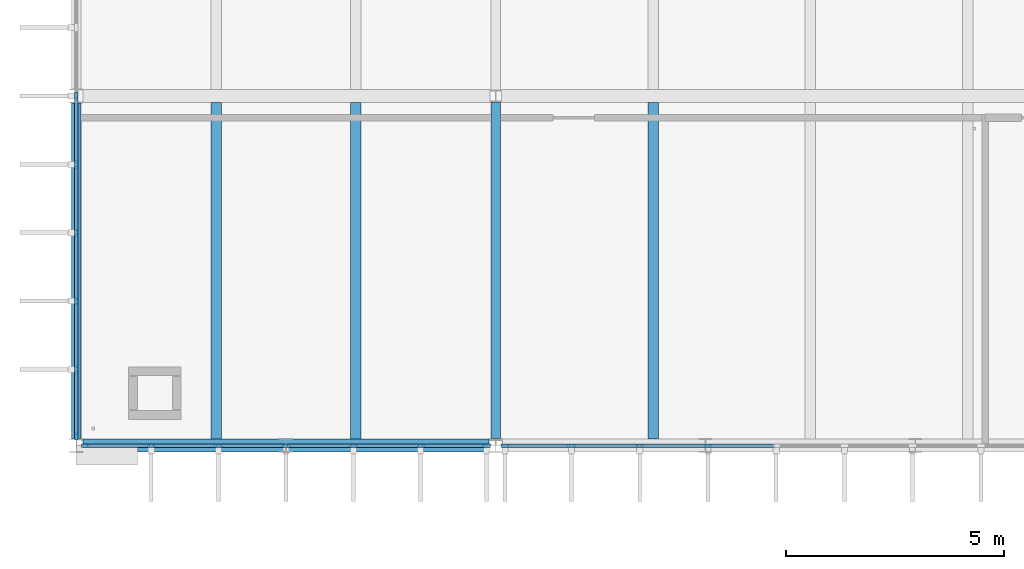
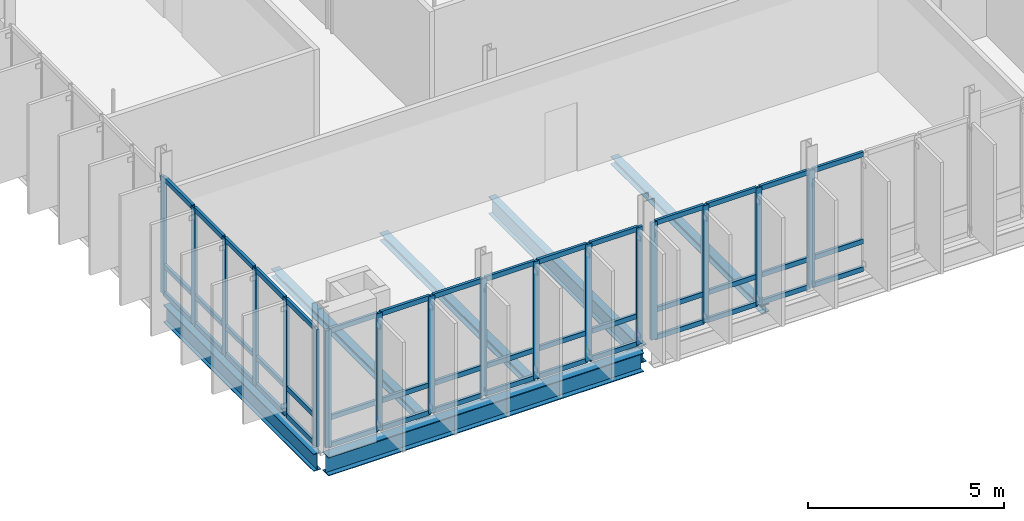
# One storey, part 7 of 41: 62 members, 6 beams, 3 elements without a shape of their own.
"""IFC4 building model written with IfcOpenShell, lengths in metres."""

from ifc_helpers import new_model, si_unit, direction, frame, origin, origin_2d, place, context, subcontext, project, spatial, rectangle, i_section, extrude, material, material_profile, profile_set, type_object, element, aggregate, save


model = new_model("IFC4")

# Units and contexts
model_context = context("Model", 3, precision=1e-05, world=origin(), true_north=direction((0.0, 1.0)))
body_context = subcontext(model_context, "Body", "Model", "MODEL_VIEW")
ifc_project = project(units=[si_unit("LENGTHUNIT", "METRE"), si_unit("AREAUNIT", "SQUARE_METRE"), si_unit("VOLUMEUNIT", "CUBIC_METRE"), si_unit("PLANEANGLEUNIT", "RADIAN"), si_unit("MASSUNIT", "GRAM", prefix="KILO")], contexts=[model_context])

# Site, building, storey
site_placement = place(None, origin())
site = spatial("IfcSite", under=ifc_project, at=site_placement, CompositionType="ELEMENT")
building_placement = place(site_placement, origin())
building = spatial("IfcBuilding", under=site, at=building_placement, Name="Dunescarp Central Library", CompositionType="ELEMENT")
storey_placement = place(building_placement, frame((0.0, 0.0, 23.10009765625)))
storey = spatial("IfcBuildingStorey", under=building, at=storey_placement, Name="L05", CompositionType="ELEMENT", Elevation=23.10009765625)

# Curtain wall, members
ifc_material_1 = material(Name="Marine-grade anodised aluminium 6063-T6", Category="aluminium")
curtain_wall_type = type_object("IfcCurtainWallType", Name="ARC-CW-STICK", PredefinedType="NOTDEFINED", material=ifc_material_1)
curtain_wall_1_placement = place(storey_placement, origin())
curtain_wall_1 = element("IfcCurtainWall", 1, at=curtain_wall_1_placement, inside=storey, type_object=curtain_wall_type, Name="L05 curtain wall CW-V1-031", PredefinedType="NOTDEFINED")
ifc_material_profile_1 = material_profile(ifc_material_1, rectangle(XDim=0.080078125, YDim=0.179931640625, at=origin_2d()), Name="AL 80x180")
ifc_profile_set_1 = profile_set([ifc_material_profile_1], Name="Marine-grade anodised aluminium 6063-T6")
member_type_1 = type_object("IfcMemberType", Name="ARC-CWM-180", PredefinedType="MULLION", material=ifc_profile_set_1)
member_1_placement = place(storey_placement, frame((9.385009765625, 4.800048828125, 0.0), z_axis=(0.0, 0.0, 1.0), x_axis=(0.0, -1.0, 0.0)))
member_1 = element("IfcMember", 2, at=member_1_placement, type_object=member_type_1, Name="CW-V1-031 mullion 1", PredefinedType="MULLION", context=body_context, shape_type="SweptSolid", body=[
    extrude(rectangle(XDim=0.080078125, YDim=0.179931640625, at=origin_2d()), origin(), (0.0, 0.0, 1.0), 3.65283203125),
])
member_2_placement = place(storey_placement, frame((7.88330078125, 4.800048828125, 0.0), z_axis=(0.0, 0.0, 1.0), x_axis=(0.0, -1.0, 0.0)))
member_2 = element("IfcMember", 3, at=member_2_placement, type_object=member_type_1, Name="CW-V1-031 mullion 2", PredefinedType="MULLION", context=body_context, shape_type="SweptSolid", body=[
    extrude(rectangle(XDim=0.080078125, YDim=0.179931640625, at=origin_2d()), origin(), (0.0, 0.0, 1.0), 3.65283203125),
])
member_3_placement = place(storey_placement, frame((6.341552734375, 4.800048828125, 0.0), z_axis=(0.0, 0.0, 1.0), x_axis=(0.0, -1.0, 0.0)))
member_3 = element("IfcMember", 4, at=member_3_placement, type_object=member_type_1, Name="CW-V1-031 mullion 3", PredefinedType="MULLION", context=body_context, shape_type="SweptSolid", body=[
    extrude(rectangle(XDim=0.080078125, YDim=0.179931640625, at=origin_2d()), origin(), (0.0, 0.0, 1.0), 3.65283203125),
])
member_4_placement = place(storey_placement, frame((4.800048828125, 4.800048828125, 0.0), z_axis=(0.0, 0.0, 1.0), x_axis=(0.0, -1.0, 0.0)))
member_4 = element("IfcMember", 5, at=member_4_placement, type_object=member_type_1, Name="CW-V1-031 mullion 4", PredefinedType="MULLION", context=body_context, shape_type="SweptSolid", body=[
    extrude(rectangle(XDim=0.080078125, YDim=0.179931640625, at=origin_2d()), origin(), (0.0, 0.0, 1.0), 3.65283203125),
])
member_5_placement = place(storey_placement, frame((3.25830078125, 4.800048828125, 0.0), z_axis=(0.0, 0.0, 1.0), x_axis=(0.0, -1.0, 0.0)))
member_5 = element("IfcMember", 6, at=member_5_placement, type_object=member_type_1, Name="CW-V1-031 mullion 5", PredefinedType="MULLION", context=body_context, shape_type="SweptSolid", body=[
    extrude(rectangle(XDim=0.080078125, YDim=0.179931640625, at=origin_2d()), origin(), (0.0, 0.0, 1.0), 3.65283203125),
])
member_6_placement = place(storey_placement, frame((1.716552734375, 4.800048828125, 0.0), z_axis=(0.0, 0.0, 1.0), x_axis=(0.0, -1.0, 0.0)))
member_6 = element("IfcMember", 7, at=member_6_placement, type_object=member_type_1, Name="CW-V1-031 mullion 6", PredefinedType="MULLION", context=body_context, shape_type="SweptSolid", body=[
    extrude(rectangle(XDim=0.080078125, YDim=0.179931640625, at=origin_2d()), origin(), (0.0, 0.0, 1.0), 3.65283203125),
])
member_7_placement = place(storey_placement, frame((0.215087890625, 4.800048828125, 0.0), z_axis=(0.0, 0.0, 1.0), x_axis=(0.0, -1.0, 0.0)))
member_7 = element("IfcMember", 8, at=member_7_placement, type_object=member_type_1, Name="CW-V1-031 mullion 7", PredefinedType="MULLION", context=body_context, shape_type="SweptSolid", body=[
    extrude(rectangle(XDim=0.080078125, YDim=0.179931640625, at=origin_2d()), origin(), (0.0, 0.0, 1.0), 3.65283203125),
])

curtain_wall_2_placement = place(storey_placement, origin())
curtain_wall_2 = element("IfcCurtainWall", 9, at=curtain_wall_2_placement, inside=storey, type_object=curtain_wall_type, Name="L05 curtain wall CW-V1-032", PredefinedType="NOTDEFINED")
member_8_placement = place(storey_placement, frame((14.458251953125, 4.800048828125, 0.0), z_axis=(0.0, 0.0, 1.0), x_axis=(0.0, -1.0, 0.0)))
member_8 = element("IfcMember", 10, at=member_8_placement, type_object=member_type_1, Name="CW-V1-032 mullion 7", PredefinedType="MULLION", context=body_context, shape_type="SweptSolid", body=[
    extrude(rectangle(XDim=0.080078125, YDim=0.179931640625, at=origin_2d()), origin(), (0.0, 0.0, 1.0), 3.65283203125),
])
member_9_placement = place(storey_placement, frame((12.897216796875, 4.800048828125, 0.0), z_axis=(0.0, 0.0, 1.0), x_axis=(0.0, -1.0, 0.0)))
member_9 = element("IfcMember", 11, at=member_9_placement, type_object=member_type_1, Name="CW-V1-032 mullion 8", PredefinedType="MULLION", context=body_context, shape_type="SweptSolid", body=[
    extrude(rectangle(XDim=0.080078125, YDim=0.179931640625, at=origin_2d()), origin(), (0.0, 0.0, 1.0), 3.65283203125),
])
member_10_placement = place(storey_placement, frame((11.336181640625, 4.800048828125, 0.0), z_axis=(0.0, 0.0, 1.0), x_axis=(0.0, -1.0, 0.0)))
member_10 = element("IfcMember", 12, at=member_10_placement, type_object=member_type_1, Name="CW-V1-032 mullion 9", PredefinedType="MULLION", context=body_context, shape_type="SweptSolid", body=[
    extrude(rectangle(XDim=0.080078125, YDim=0.179931640625, at=origin_2d()), origin(), (0.0, 0.0, 1.0), 3.65283203125),
])
member_11_placement = place(storey_placement, frame((9.81494140625, 4.800048828125, 0.0), z_axis=(0.0, 0.0, 1.0), x_axis=(0.0, -1.0, 0.0)))
member_11 = element("IfcMember", 13, at=member_11_placement, type_object=member_type_1, Name="CW-V1-032 mullion 10", PredefinedType="MULLION", context=body_context, shape_type="SweptSolid", body=[
    extrude(rectangle(XDim=0.080078125, YDim=0.179931640625, at=origin_2d()), origin(), (0.0, 0.0, 1.0), 3.65283203125),
])

curtain_wall_3_placement = place(storey_placement, origin())
curtain_wall_3 = element("IfcCurtainWall", 14, at=curtain_wall_3_placement, inside=storey, type_object=curtain_wall_type, Name="L05 curtain wall CW-V1-035", PredefinedType="NOTDEFINED")
member_12_placement = place(storey_placement, frame((0.0, 5.014892578125, 0.0), z_axis=(0.0, 0.0, 1.0), x_axis=(-1.0, 0.0, 0.0)))
member_12 = element("IfcMember", 15, at=member_12_placement, type_object=member_type_1, Name="CW-V1-035 mullion 1", PredefinedType="MULLION", context=body_context, shape_type="SweptSolid", body=[
    extrude(rectangle(XDim=0.080078125, YDim=0.179931640625, at=origin_2d()), origin(), (0.0, 0.0, 1.0), 3.65283203125),
])
member_13_placement = place(storey_placement, frame((0.0, 6.5400390625, 0.0), z_axis=(0.0, 0.0, 1.0), x_axis=(-1.0, 0.0, 0.0)))
member_13 = element("IfcMember", 16, at=member_13_placement, type_object=member_type_1, Name="CW-V1-035 mullion 2", PredefinedType="MULLION", context=body_context, shape_type="SweptSolid", body=[
    extrude(rectangle(XDim=0.080078125, YDim=0.179931640625, at=origin_2d()), origin(), (0.0, 0.0, 1.0), 3.65283203125),
])
member_14_placement = place(storey_placement, frame((0.0, 8.10498046875, 0.0), z_axis=(0.0, 0.0, 1.0), x_axis=(-1.0, 0.0, 0.0)))
member_14 = element("IfcMember", 17, at=member_14_placement, type_object=member_type_1, Name="CW-V1-035 mullion 3", PredefinedType="MULLION", context=body_context, shape_type="SweptSolid", body=[
    extrude(rectangle(XDim=0.080078125, YDim=0.179931640625, at=origin_2d()), origin(), (0.0, 0.0, 1.0), 3.65283203125),
])
member_15_placement = place(storey_placement, frame((0.0, 9.669921875, 0.0), z_axis=(0.0, 0.0, 1.0), x_axis=(-1.0, 0.0, 0.0)))
member_15 = element("IfcMember", 18, at=member_15_placement, type_object=member_type_1, Name="CW-V1-035 mullion 4", PredefinedType="MULLION", context=body_context, shape_type="SweptSolid", body=[
    extrude(rectangle(XDim=0.080078125, YDim=0.179931640625, at=origin_2d()), origin(), (0.0, 0.0, 1.0), 3.65283203125),
])
member_16_placement = place(storey_placement, frame((0.0, 11.235107421875, 0.0), z_axis=(0.0, 0.0, 1.0), x_axis=(-1.0, 0.0, 0.0)))
member_16 = element("IfcMember", 19, at=member_16_placement, type_object=member_type_1, Name="CW-V1-035 mullion 5", PredefinedType="MULLION", context=body_context, shape_type="SweptSolid", body=[
    extrude(rectangle(XDim=0.080078125, YDim=0.179931640625, at=origin_2d()), origin(), (0.0, 0.0, 1.0), 3.65283203125),
])
member_17_placement = place(storey_placement, frame((0.0, 12.800048828125, 0.0), z_axis=(0.0, 0.0, 1.0), x_axis=(-1.0, 0.0, 0.0)))
member_17 = element("IfcMember", 20, at=member_17_placement, type_object=member_type_1, Name="CW-V1-035 mullion 6", PredefinedType="MULLION", context=body_context, shape_type="SweptSolid", body=[
    extrude(rectangle(XDim=0.080078125, YDim=0.179931640625, at=origin_2d()), origin(), (0.0, 0.0, 1.0), 3.65283203125),
])

# Member
ifc_material_profile_2 = material_profile(ifc_material_1, rectangle(XDim=0.080078125, YDim=0.14990234375, at=origin_2d()), Name="AL 80x150")
ifc_profile_set_2 = profile_set([ifc_material_profile_2], Name="Marine-grade anodised aluminium 6063-T6")
member_type_2 = type_object("IfcMemberType", Name="ARC-CWT-150", PredefinedType="USERDEFINED", material=ifc_profile_set_2)
member_18_placement = place(storey_placement, frame((9.344970703125, 4.800048828125, 0.039794921875), z_axis=(-1.0, 0.0, 0.0), x_axis=(0.0, -1.0, 0.0)))
member_18 = element("IfcMember", 21, at=member_18_placement, type_object=member_type_2, Name="CW-V1-031 transom 1.1", ObjectType="TRANSOM", PredefinedType="USERDEFINED", context=body_context, shape_type="SweptSolid", body=[
    extrude(rectangle(XDim=0.080078125, YDim=0.14990234375, at=origin_2d()), origin(), (0.0, 0.0, 1.0), 1.421630859375),
])

member_19_placement = place(storey_placement, frame((9.344970703125, 4.800048828125, 0.89990234375), z_axis=(-1.0, 0.0, 0.0), x_axis=(0.0, -1.0, 0.0)))
member_19 = element("IfcMember", 22, at=member_19_placement, type_object=member_type_2, Name="CW-V1-031 transom 1.2", ObjectType="TRANSOM", PredefinedType="USERDEFINED", context=body_context, shape_type="SweptSolid", body=[
    extrude(rectangle(XDim=0.080078125, YDim=0.14990234375, at=origin_2d()), origin(), (0.0, 0.0, 1.0), 1.421630859375),
])

member_20_placement = place(storey_placement, frame((9.344970703125, 4.800048828125, 3.61279296875), z_axis=(-1.0, 0.0, 0.0), x_axis=(0.0, -1.0, 0.0)))
member_20 = element("IfcMember", 23, at=member_20_placement, type_object=member_type_2, Name="CW-V1-031 transom 1.3", ObjectType="TRANSOM", PredefinedType="USERDEFINED", context=body_context, shape_type="SweptSolid", body=[
    extrude(rectangle(XDim=0.080078125, YDim=0.14990234375, at=origin_2d()), origin(), (0.0, 0.0, 1.0), 1.421630859375),
])

member_21_placement = place(storey_placement, frame((7.84326171875, 4.800048828125, 0.039794921875), z_axis=(-1.0, 0.0, 0.0), x_axis=(0.0, -1.0, 0.0)))
member_21 = element("IfcMember", 24, at=member_21_placement, type_object=member_type_2, Name="CW-V1-031 transom 2.1", ObjectType="TRANSOM", PredefinedType="USERDEFINED", context=body_context, shape_type="SweptSolid", body=[
    extrude(rectangle(XDim=0.080078125, YDim=0.14990234375, at=origin_2d()), origin(), (0.0, 0.0, 1.0), 1.461669921875),
])

member_22_placement = place(storey_placement, frame((7.84326171875, 4.800048828125, 0.89990234375), z_axis=(-1.0, 0.0, 0.0), x_axis=(0.0, -1.0, 0.0)))
member_22 = element("IfcMember", 25, at=member_22_placement, type_object=member_type_2, Name="CW-V1-031 transom 2.2", ObjectType="TRANSOM", PredefinedType="USERDEFINED", context=body_context, shape_type="SweptSolid", body=[
    extrude(rectangle(XDim=0.080078125, YDim=0.14990234375, at=origin_2d()), origin(), (0.0, 0.0, 1.0), 1.461669921875),
])

member_23_placement = place(storey_placement, frame((7.84326171875, 4.800048828125, 3.61279296875), z_axis=(-1.0, 0.0, 0.0), x_axis=(0.0, -1.0, 0.0)))
member_23 = element("IfcMember", 26, at=member_23_placement, type_object=member_type_2, Name="CW-V1-031 transom 2.3", ObjectType="TRANSOM", PredefinedType="USERDEFINED", context=body_context, shape_type="SweptSolid", body=[
    extrude(rectangle(XDim=0.080078125, YDim=0.14990234375, at=origin_2d()), origin(), (0.0, 0.0, 1.0), 1.461669921875),
])

member_24_placement = place(storey_placement, frame((6.3017578125, 4.800048828125, 0.039794921875), z_axis=(-1.0, 0.0, 0.0), x_axis=(0.0, -1.0, 0.0)))
member_24 = element("IfcMember", 27, at=member_24_placement, type_object=member_type_2, Name="CW-V1-031 transom 3.1", ObjectType="TRANSOM", PredefinedType="USERDEFINED", context=body_context, shape_type="SweptSolid", body=[
    extrude(rectangle(XDim=0.080078125, YDim=0.14990234375, at=origin_2d()), origin(), (0.0, 0.0, 1.0), 1.461669921875),
])

member_25_placement = place(storey_placement, frame((6.3017578125, 4.800048828125, 0.89990234375), z_axis=(-1.0, 0.0, 0.0), x_axis=(0.0, -1.0, 0.0)))
member_25 = element("IfcMember", 28, at=member_25_placement, type_object=member_type_2, Name="CW-V1-031 transom 3.2", ObjectType="TRANSOM", PredefinedType="USERDEFINED", context=body_context, shape_type="SweptSolid", body=[
    extrude(rectangle(XDim=0.080078125, YDim=0.14990234375, at=origin_2d()), origin(), (0.0, 0.0, 1.0), 1.461669921875),
])

member_26_placement = place(storey_placement, frame((6.3017578125, 4.800048828125, 3.61279296875), z_axis=(-1.0, 0.0, 0.0), x_axis=(0.0, -1.0, 0.0)))
member_26 = element("IfcMember", 29, at=member_26_placement, type_object=member_type_2, Name="CW-V1-031 transom 3.3", ObjectType="TRANSOM", PredefinedType="USERDEFINED", context=body_context, shape_type="SweptSolid", body=[
    extrude(rectangle(XDim=0.080078125, YDim=0.14990234375, at=origin_2d()), origin(), (0.0, 0.0, 1.0), 1.461669921875),
])

member_27_placement = place(storey_placement, frame((4.760009765625, 4.800048828125, 0.039794921875), z_axis=(-1.0, 0.0, 0.0), x_axis=(0.0, -1.0, 0.0)))
member_27 = element("IfcMember", 30, at=member_27_placement, type_object=member_type_2, Name="CW-V1-031 transom 4.1", ObjectType="TRANSOM", PredefinedType="USERDEFINED", context=body_context, shape_type="SweptSolid", body=[
    extrude(rectangle(XDim=0.080078125, YDim=0.14990234375, at=origin_2d()), origin(), (0.0, 0.0, 1.0), 1.461669921875),
])

member_28_placement = place(storey_placement, frame((4.760009765625, 4.800048828125, 0.89990234375), z_axis=(-1.0, 0.0, 0.0), x_axis=(0.0, -1.0, 0.0)))
member_28 = element("IfcMember", 31, at=member_28_placement, type_object=member_type_2, Name="CW-V1-031 transom 4.2", ObjectType="TRANSOM", PredefinedType="USERDEFINED", context=body_context, shape_type="SweptSolid", body=[
    extrude(rectangle(XDim=0.080078125, YDim=0.14990234375, at=origin_2d()), origin(), (0.0, 0.0, 1.0), 1.461669921875),
])

member_29_placement = place(storey_placement, frame((4.760009765625, 4.800048828125, 3.61279296875), z_axis=(-1.0, 0.0, 0.0), x_axis=(0.0, -1.0, 0.0)))
member_29 = element("IfcMember", 32, at=member_29_placement, type_object=member_type_2, Name="CW-V1-031 transom 4.3", ObjectType="TRANSOM", PredefinedType="USERDEFINED", context=body_context, shape_type="SweptSolid", body=[
    extrude(rectangle(XDim=0.080078125, YDim=0.14990234375, at=origin_2d()), origin(), (0.0, 0.0, 1.0), 1.461669921875),
])

member_30_placement = place(storey_placement, frame((3.21826171875, 4.800048828125, 0.039794921875), z_axis=(-1.0, 0.0, 0.0), x_axis=(0.0, -1.0, 0.0)))
member_30 = element("IfcMember", 33, at=member_30_placement, type_object=member_type_2, Name="CW-V1-031 transom 5.1", ObjectType="TRANSOM", PredefinedType="USERDEFINED", context=body_context, shape_type="SweptSolid", body=[
    extrude(rectangle(XDim=0.080078125, YDim=0.14990234375, at=origin_2d()), origin(), (0.0, 0.0, 1.0), 1.461669921875),
])

member_31_placement = place(storey_placement, frame((3.21826171875, 4.800048828125, 0.89990234375), z_axis=(-1.0, 0.0, 0.0), x_axis=(0.0, -1.0, 0.0)))
member_31 = element("IfcMember", 34, at=member_31_placement, type_object=member_type_2, Name="CW-V1-031 transom 5.2", ObjectType="TRANSOM", PredefinedType="USERDEFINED", context=body_context, shape_type="SweptSolid", body=[
    extrude(rectangle(XDim=0.080078125, YDim=0.14990234375, at=origin_2d()), origin(), (0.0, 0.0, 1.0), 1.461669921875),
])

member_32_placement = place(storey_placement, frame((3.21826171875, 4.800048828125, 3.61279296875), z_axis=(-1.0, 0.0, 0.0), x_axis=(0.0, -1.0, 0.0)))
member_32 = element("IfcMember", 35, at=member_32_placement, type_object=member_type_2, Name="CW-V1-031 transom 5.3", ObjectType="TRANSOM", PredefinedType="USERDEFINED", context=body_context, shape_type="SweptSolid", body=[
    extrude(rectangle(XDim=0.080078125, YDim=0.14990234375, at=origin_2d()), origin(), (0.0, 0.0, 1.0), 1.461669921875),
])

member_33_placement = place(storey_placement, frame((1.6767578125, 4.800048828125, 0.039794921875), z_axis=(-1.0, 0.0, 0.0), x_axis=(0.0, -1.0, 0.0)))
member_33 = element("IfcMember", 36, at=member_33_placement, type_object=member_type_2, Name="CW-V1-031 transom 6.1", ObjectType="TRANSOM", PredefinedType="USERDEFINED", context=body_context, shape_type="SweptSolid", body=[
    extrude(rectangle(XDim=0.080078125, YDim=0.14990234375, at=origin_2d()), origin(), (0.0, 0.0, 1.0), 1.421875),
])

member_34_placement = place(storey_placement, frame((1.6767578125, 4.800048828125, 0.89990234375), z_axis=(-1.0, 0.0, 0.0), x_axis=(0.0, -1.0, 0.0)))
member_34 = element("IfcMember", 37, at=member_34_placement, type_object=member_type_2, Name="CW-V1-031 transom 6.2", ObjectType="TRANSOM", PredefinedType="USERDEFINED", context=body_context, shape_type="SweptSolid", body=[
    extrude(rectangle(XDim=0.080078125, YDim=0.14990234375, at=origin_2d()), origin(), (0.0, 0.0, 1.0), 1.421875),
])

member_35_placement = place(storey_placement, frame((1.6767578125, 4.800048828125, 3.61279296875), z_axis=(-1.0, 0.0, 0.0), x_axis=(0.0, -1.0, 0.0)))
member_35 = element("IfcMember", 38, at=member_35_placement, type_object=member_type_2, Name="CW-V1-031 transom 6.3", ObjectType="TRANSOM", PredefinedType="USERDEFINED", context=body_context, shape_type="SweptSolid", body=[
    extrude(rectangle(XDim=0.080078125, YDim=0.14990234375, at=origin_2d()), origin(), (0.0, 0.0, 1.0), 1.421875),
])

aggregate(curtain_wall_1, [member_1, member_2, member_3, member_4, member_5, member_6, member_7, member_18, member_19, member_20, member_21, member_22, member_23, member_24, member_25, member_26, member_27, member_28, member_29, member_30, member_31, member_32, member_33, member_34, member_35])

member_36_placement = place(storey_placement, frame((15.9794921875, 4.800048828125, 0.039794921875), z_axis=(-1.0, 0.0, 0.0), x_axis=(0.0, -1.0, 0.0)))
member_36 = element("IfcMember", 39, at=member_36_placement, type_object=member_type_2, Name="CW-V1-032 transom 6.1", ObjectType="TRANSOM", PredefinedType="USERDEFINED", context=body_context, shape_type="SweptSolid", body=[
    extrude(rectangle(XDim=0.080078125, YDim=0.14990234375, at=origin_2d()), origin(), (0.0, 0.0, 1.0), 1.481201171875),
])

member_37_placement = place(storey_placement, frame((15.9794921875, 4.800048828125, 0.89990234375), z_axis=(-1.0, 0.0, 0.0), x_axis=(0.0, -1.0, 0.0)))
member_37 = element("IfcMember", 40, at=member_37_placement, type_object=member_type_2, Name="CW-V1-032 transom 6.2", ObjectType="TRANSOM", PredefinedType="USERDEFINED", context=body_context, shape_type="SweptSolid", body=[
    extrude(rectangle(XDim=0.080078125, YDim=0.14990234375, at=origin_2d()), origin(), (0.0, 0.0, 1.0), 1.481201171875),
])

member_38_placement = place(storey_placement, frame((15.9794921875, 4.800048828125, 3.61279296875), z_axis=(-1.0, 0.0, 0.0), x_axis=(0.0, -1.0, 0.0)))
member_38 = element("IfcMember", 41, at=member_38_placement, type_object=member_type_2, Name="CW-V1-032 transom 6.3", ObjectType="TRANSOM", PredefinedType="USERDEFINED", context=body_context, shape_type="SweptSolid", body=[
    extrude(rectangle(XDim=0.080078125, YDim=0.14990234375, at=origin_2d()), origin(), (0.0, 0.0, 1.0), 1.481201171875),
])

member_39_placement = place(storey_placement, frame((14.418212890625, 4.800048828125, 0.039794921875), z_axis=(-1.0, 0.0, 0.0), x_axis=(0.0, -1.0, 0.0)))
member_39 = element("IfcMember", 42, at=member_39_placement, type_object=member_type_2, Name="CW-V1-032 transom 7.1", ObjectType="TRANSOM", PredefinedType="USERDEFINED", context=body_context, shape_type="SweptSolid", body=[
    extrude(rectangle(XDim=0.080078125, YDim=0.14990234375, at=origin_2d()), origin(), (0.0, 0.0, 1.0), 1.48095703125),
])

member_40_placement = place(storey_placement, frame((14.418212890625, 4.800048828125, 0.89990234375), z_axis=(-1.0, 0.0, 0.0), x_axis=(0.0, -1.0, 0.0)))
member_40 = element("IfcMember", 43, at=member_40_placement, type_object=member_type_2, Name="CW-V1-032 transom 7.2", ObjectType="TRANSOM", PredefinedType="USERDEFINED", context=body_context, shape_type="SweptSolid", body=[
    extrude(rectangle(XDim=0.080078125, YDim=0.14990234375, at=origin_2d()), origin(), (0.0, 0.0, 1.0), 1.48095703125),
])

member_41_placement = place(storey_placement, frame((14.418212890625, 4.800048828125, 3.61279296875), z_axis=(-1.0, 0.0, 0.0), x_axis=(0.0, -1.0, 0.0)))
member_41 = element("IfcMember", 44, at=member_41_placement, type_object=member_type_2, Name="CW-V1-032 transom 7.3", ObjectType="TRANSOM", PredefinedType="USERDEFINED", context=body_context, shape_type="SweptSolid", body=[
    extrude(rectangle(XDim=0.080078125, YDim=0.14990234375, at=origin_2d()), origin(), (0.0, 0.0, 1.0), 1.48095703125),
])

member_42_placement = place(storey_placement, frame((12.857177734375, 4.800048828125, 0.039794921875), z_axis=(-1.0, 0.0, 0.0), x_axis=(0.0, -1.0, 0.0)))
member_42 = element("IfcMember", 45, at=member_42_placement, type_object=member_type_2, Name="CW-V1-032 transom 8.1", ObjectType="TRANSOM", PredefinedType="USERDEFINED", context=body_context, shape_type="SweptSolid", body=[
    extrude(rectangle(XDim=0.080078125, YDim=0.14990234375, at=origin_2d()), origin(), (0.0, 0.0, 1.0), 1.48095703125),
])

member_43_placement = place(storey_placement, frame((12.857177734375, 4.800048828125, 0.89990234375), z_axis=(-1.0, 0.0, 0.0), x_axis=(0.0, -1.0, 0.0)))
member_43 = element("IfcMember", 46, at=member_43_placement, type_object=member_type_2, Name="CW-V1-032 transom 8.2", ObjectType="TRANSOM", PredefinedType="USERDEFINED", context=body_context, shape_type="SweptSolid", body=[
    extrude(rectangle(XDim=0.080078125, YDim=0.14990234375, at=origin_2d()), origin(), (0.0, 0.0, 1.0), 1.48095703125),
])

member_44_placement = place(storey_placement, frame((12.857177734375, 4.800048828125, 3.61279296875), z_axis=(-1.0, 0.0, 0.0), x_axis=(0.0, -1.0, 0.0)))
member_44 = element("IfcMember", 47, at=member_44_placement, type_object=member_type_2, Name="CW-V1-032 transom 8.3", ObjectType="TRANSOM", PredefinedType="USERDEFINED", context=body_context, shape_type="SweptSolid", body=[
    extrude(rectangle(XDim=0.080078125, YDim=0.14990234375, at=origin_2d()), origin(), (0.0, 0.0, 1.0), 1.48095703125),
])

member_45_placement = place(storey_placement, frame((11.296142578125, 4.800048828125, 0.039794921875), z_axis=(-1.0, 0.0, 0.0), x_axis=(0.0, -1.0, 0.0)))
member_45 = element("IfcMember", 48, at=member_45_placement, type_object=member_type_2, Name="CW-V1-032 transom 9.1", ObjectType="TRANSOM", PredefinedType="USERDEFINED", context=body_context, shape_type="SweptSolid", body=[
    extrude(rectangle(XDim=0.080078125, YDim=0.14990234375, at=origin_2d()), origin(), (0.0, 0.0, 1.0), 1.441162109375),
])

member_46_placement = place(storey_placement, frame((11.296142578125, 4.800048828125, 0.89990234375), z_axis=(-1.0, 0.0, 0.0), x_axis=(0.0, -1.0, 0.0)))
member_46 = element("IfcMember", 49, at=member_46_placement, type_object=member_type_2, Name="CW-V1-032 transom 9.2", ObjectType="TRANSOM", PredefinedType="USERDEFINED", context=body_context, shape_type="SweptSolid", body=[
    extrude(rectangle(XDim=0.080078125, YDim=0.14990234375, at=origin_2d()), origin(), (0.0, 0.0, 1.0), 1.441162109375),
])

member_47_placement = place(storey_placement, frame((11.296142578125, 4.800048828125, 3.61279296875), z_axis=(-1.0, 0.0, 0.0), x_axis=(0.0, -1.0, 0.0)))
member_47 = element("IfcMember", 50, at=member_47_placement, type_object=member_type_2, Name="CW-V1-032 transom 9.3", ObjectType="TRANSOM", PredefinedType="USERDEFINED", context=body_context, shape_type="SweptSolid", body=[
    extrude(rectangle(XDim=0.080078125, YDim=0.14990234375, at=origin_2d()), origin(), (0.0, 0.0, 1.0), 1.441162109375),
])

aggregate(curtain_wall_2, [member_8, member_9, member_10, member_11, member_36, member_37, member_38, member_39, member_40, member_41, member_42, member_43, member_44, member_45, member_46, member_47])

member_48_placement = place(storey_placement, frame((0.0, 5.054931640625, 0.039794921875), z_axis=(0.0, 1.0, 0.0), x_axis=(-1.0, 0.0, 0.0)))
member_48 = element("IfcMember", 51, at=member_48_placement, type_object=member_type_2, Name="CW-V1-035 transom 1.1", ObjectType="TRANSOM", PredefinedType="USERDEFINED", context=body_context, shape_type="SweptSolid", body=[
    extrude(rectangle(XDim=0.080078125, YDim=0.14990234375, at=origin_2d()), origin(), (0.0, 0.0, 1.0), 1.445068359375),
])

member_49_placement = place(storey_placement, frame((0.0, 5.054931640625, 0.89990234375), z_axis=(0.0, 1.0, 0.0), x_axis=(-1.0, 0.0, 0.0)))
member_49 = element("IfcMember", 52, at=member_49_placement, type_object=member_type_2, Name="CW-V1-035 transom 1.2", ObjectType="TRANSOM", PredefinedType="USERDEFINED", context=body_context, shape_type="SweptSolid", body=[
    extrude(rectangle(XDim=0.080078125, YDim=0.14990234375, at=origin_2d()), origin(), (0.0, 0.0, 1.0), 1.445068359375),
])

member_50_placement = place(storey_placement, frame((0.0, 5.054931640625, 3.61279296875), z_axis=(0.0, 1.0, 0.0), x_axis=(-1.0, 0.0, 0.0)))
member_50 = element("IfcMember", 53, at=member_50_placement, type_object=member_type_2, Name="CW-V1-035 transom 1.3", ObjectType="TRANSOM", PredefinedType="USERDEFINED", context=body_context, shape_type="SweptSolid", body=[
    extrude(rectangle(XDim=0.080078125, YDim=0.14990234375, at=origin_2d()), origin(), (0.0, 0.0, 1.0), 1.445068359375),
])

member_51_placement = place(storey_placement, frame((0.0, 6.580078125, 0.039794921875), z_axis=(0.0, 1.0, 0.0), x_axis=(-1.0, 0.0, 0.0)))
member_51 = element("IfcMember", 54, at=member_51_placement, type_object=member_type_2, Name="CW-V1-035 transom 2.1", ObjectType="TRANSOM", PredefinedType="USERDEFINED", context=body_context, shape_type="SweptSolid", body=[
    extrude(rectangle(XDim=0.080078125, YDim=0.14990234375, at=origin_2d()), origin(), (0.0, 0.0, 1.0), 1.48486328125),
])

member_52_placement = place(storey_placement, frame((0.0, 6.580078125, 0.89990234375), z_axis=(0.0, 1.0, 0.0), x_axis=(-1.0, 0.0, 0.0)))
member_52 = element("IfcMember", 55, at=member_52_placement, type_object=member_type_2, Name="CW-V1-035 transom 2.2", ObjectType="TRANSOM", PredefinedType="USERDEFINED", context=body_context, shape_type="SweptSolid", body=[
    extrude(rectangle(XDim=0.080078125, YDim=0.14990234375, at=origin_2d()), origin(), (0.0, 0.0, 1.0), 1.48486328125),
])

member_53_placement = place(storey_placement, frame((0.0, 6.580078125, 3.61279296875), z_axis=(0.0, 1.0, 0.0), x_axis=(-1.0, 0.0, 0.0)))
member_53 = element("IfcMember", 56, at=member_53_placement, type_object=member_type_2, Name="CW-V1-035 transom 2.3", ObjectType="TRANSOM", PredefinedType="USERDEFINED", context=body_context, shape_type="SweptSolid", body=[
    extrude(rectangle(XDim=0.080078125, YDim=0.14990234375, at=origin_2d()), origin(), (0.0, 0.0, 1.0), 1.48486328125),
])

member_54_placement = place(storey_placement, frame((0.0, 8.14501953125, 0.039794921875), z_axis=(0.0, 1.0, 0.0), x_axis=(-1.0, 0.0, 0.0)))
member_54 = element("IfcMember", 57, at=member_54_placement, type_object=member_type_2, Name="CW-V1-035 transom 3.1", ObjectType="TRANSOM", PredefinedType="USERDEFINED", context=body_context, shape_type="SweptSolid", body=[
    extrude(rectangle(XDim=0.080078125, YDim=0.14990234375, at=origin_2d()), origin(), (0.0, 0.0, 1.0), 1.48486328125),
])

member_55_placement = place(storey_placement, frame((0.0, 8.14501953125, 0.89990234375), z_axis=(0.0, 1.0, 0.0), x_axis=(-1.0, 0.0, 0.0)))
member_55 = element("IfcMember", 58, at=member_55_placement, type_object=member_type_2, Name="CW-V1-035 transom 3.2", ObjectType="TRANSOM", PredefinedType="USERDEFINED", context=body_context, shape_type="SweptSolid", body=[
    extrude(rectangle(XDim=0.080078125, YDim=0.14990234375, at=origin_2d()), origin(), (0.0, 0.0, 1.0), 1.48486328125),
])

member_56_placement = place(storey_placement, frame((0.0, 8.14501953125, 3.61279296875), z_axis=(0.0, 1.0, 0.0), x_axis=(-1.0, 0.0, 0.0)))
member_56 = element("IfcMember", 59, at=member_56_placement, type_object=member_type_2, Name="CW-V1-035 transom 3.3", ObjectType="TRANSOM", PredefinedType="USERDEFINED", context=body_context, shape_type="SweptSolid", body=[
    extrude(rectangle(XDim=0.080078125, YDim=0.14990234375, at=origin_2d()), origin(), (0.0, 0.0, 1.0), 1.48486328125),
])

member_57_placement = place(storey_placement, frame((0.0, 9.7099609375, 0.039794921875), z_axis=(0.0, 1.0, 0.0), x_axis=(-1.0, 0.0, 0.0)))
member_57 = element("IfcMember", 60, at=member_57_placement, type_object=member_type_2, Name="CW-V1-035 transom 4.1", ObjectType="TRANSOM", PredefinedType="USERDEFINED", context=body_context, shape_type="SweptSolid", body=[
    extrude(rectangle(XDim=0.080078125, YDim=0.14990234375, at=origin_2d()), origin(), (0.0, 0.0, 1.0), 1.485107421875),
])

member_58_placement = place(storey_placement, frame((0.0, 9.7099609375, 0.89990234375), z_axis=(0.0, 1.0, 0.0), x_axis=(-1.0, 0.0, 0.0)))
member_58 = element("IfcMember", 61, at=member_58_placement, type_object=member_type_2, Name="CW-V1-035 transom 4.2", ObjectType="TRANSOM", PredefinedType="USERDEFINED", context=body_context, shape_type="SweptSolid", body=[
    extrude(rectangle(XDim=0.080078125, YDim=0.14990234375, at=origin_2d()), origin(), (0.0, 0.0, 1.0), 1.485107421875),
])

member_59_placement = place(storey_placement, frame((0.0, 9.7099609375, 3.61279296875), z_axis=(0.0, 1.0, 0.0), x_axis=(-1.0, 0.0, 0.0)))
member_59 = element("IfcMember", 62, at=member_59_placement, type_object=member_type_2, Name="CW-V1-035 transom 4.3", ObjectType="TRANSOM", PredefinedType="USERDEFINED", context=body_context, shape_type="SweptSolid", body=[
    extrude(rectangle(XDim=0.080078125, YDim=0.14990234375, at=origin_2d()), origin(), (0.0, 0.0, 1.0), 1.485107421875),
])

member_60_placement = place(storey_placement, frame((0.0, 11.27490234375, 0.039794921875), z_axis=(0.0, 1.0, 0.0), x_axis=(-1.0, 0.0, 0.0)))
member_60 = element("IfcMember", 63, at=member_60_placement, type_object=member_type_2, Name="CW-V1-035 transom 5.1", ObjectType="TRANSOM", PredefinedType="USERDEFINED", context=body_context, shape_type="SweptSolid", body=[
    extrude(rectangle(XDim=0.080078125, YDim=0.14990234375, at=origin_2d()), origin(), (0.0, 0.0, 1.0), 1.485107421875),
])

member_61_placement = place(storey_placement, frame((0.0, 11.27490234375, 0.89990234375), z_axis=(0.0, 1.0, 0.0), x_axis=(-1.0, 0.0, 0.0)))
member_61 = element("IfcMember", 64, at=member_61_placement, type_object=member_type_2, Name="CW-V1-035 transom 5.2", ObjectType="TRANSOM", PredefinedType="USERDEFINED", context=body_context, shape_type="SweptSolid", body=[
    extrude(rectangle(XDim=0.080078125, YDim=0.14990234375, at=origin_2d()), origin(), (0.0, 0.0, 1.0), 1.485107421875),
])

member_62_placement = place(storey_placement, frame((0.0, 11.27490234375, 3.61279296875), z_axis=(0.0, 1.0, 0.0), x_axis=(-1.0, 0.0, 0.0)))
member_62 = element("IfcMember", 65, at=member_62_placement, type_object=member_type_2, Name="CW-V1-035 transom 5.3", ObjectType="TRANSOM", PredefinedType="USERDEFINED", context=body_context, shape_type="SweptSolid", body=[
    extrude(rectangle(XDim=0.080078125, YDim=0.14990234375, at=origin_2d()), origin(), (0.0, 0.0, 1.0), 1.485107421875),
])

aggregate(curtain_wall_3, [member_12, member_13, member_14, member_15, member_16, member_17, member_48, member_49, member_50, member_51, member_52, member_53, member_54, member_55, member_56, member_57, member_58, member_59, member_60, member_61, member_62])

# Beams
ifc_material_2 = material(Name="Steel S355JR", Category="steel")
ifc_material_profile_3 = material_profile(ifc_material_2, i_section(OverallWidth=0.300048828125, OverallDepth=0.590087890625, WebThickness=0.012939453125, FlangeThickness=0.02490234375, at=origin_2d()), Name="HEA 600")
ifc_profile_set_3 = profile_set([ifc_material_profile_3], Name="Steel S355JR")
beam_type_1 = type_object("IfcBeamType", Name="STR-BM-HEA600", PredefinedType="BEAM", material=ifc_profile_set_3)
beam_1_placement = place(storey_placement, frame((0.153076171875, 4.800048828125, -0.51513671875), z_axis=(1.0, 0.0, 0.0), x_axis=(0.0, 1.0, 0.0)))
element("IfcBeam", 66, at=beam_1_placement, inside=storey, type_object=beam_type_1, Name="L05 girder BM-L05-0221", PredefinedType="BEAM", context=body_context, shape_type="SweptSolid", body=[
    extrude(i_section(OverallWidth=0.300048828125, OverallDepth=0.590087890625, WebThickness=0.012939453125, FlangeThickness=0.02490234375, at=origin_2d()), origin(), (0.0, 0.0, 1.0), 9.2939453125),
])
ifc_material_profile_4 = material_profile(ifc_material_2, i_section(OverallWidth=0.2119140625, OverallDepth=0.54443359375, WebThickness=0.0126953125, FlangeThickness=0.021240234375, at=origin_2d()), Name="UB 533x210x122")
ifc_profile_set_4 = profile_set([ifc_material_profile_4], Name="Steel S355JR")
beam_type_2 = type_object("IfcBeamType", Name="STR-BM-UB533X122", PredefinedType="BEAM", material=ifc_profile_set_4)
beam_2_placement = place(storey_placement, frame((0.0, 4.9609375, -0.4921875), z_axis=(0.0, 1.0, 0.0), x_axis=(-1.0, 0.0, 0.0)))
element("IfcBeam", 67, at=beam_2_placement, inside=storey, type_object=beam_type_2, Name="L05 girder BM-L05-0223", PredefinedType="BEAM", context=body_context, shape_type="SweptSolid", body=[
    extrude(i_section(OverallWidth=0.2119140625, OverallDepth=0.54443359375, WebThickness=0.0126953125, FlangeThickness=0.021240234375, at=origin_2d()), origin(), (0.0, 0.0, 1.0), 7.677978515625),
])
beam_3_placement = place(storey_placement, frame((9.60009765625, 4.9609375, -0.4921875), z_axis=(0.0, 1.0, 0.0), x_axis=(-1.0, 0.0, 0.0)))
element("IfcBeam", 68, at=beam_3_placement, inside=storey, type_object=beam_type_2, Name="L05 girder BM-L05-0224", PredefinedType="BEAM", context=body_context, shape_type="SweptSolid", body=[
    extrude(i_section(OverallWidth=0.2119140625, OverallDepth=0.54443359375, WebThickness=0.0126953125, FlangeThickness=0.021240234375, at=origin_2d()), origin(), (0.0, 0.0, 1.0), 7.7041015625),
])
ifc_material_profile_5 = material_profile(ifc_material_2, i_section(OverallWidth=0.239990234375, OverallDepth=0.239990234375, WebThickness=0.010009765625, FlangeThickness=0.01708984375, at=origin_2d()), Name="HEB 240")
ifc_profile_set_5 = profile_set([ifc_material_profile_5], Name="Steel S355JR")
beam_type_3 = type_object("IfcBeamType", Name="STR-JS-HEB240", PredefinedType="JOIST", material=ifc_profile_set_5)
for number, where, z_axis, x_axis, name in (
    (69, (3.199951171875, 4.947998046875, -0.340087890625), (0.0, 1.0, 0.0), (-1.0, 0.0, 0.0), "L05 joist JS-L05-0225"),
    (70, (6.39990234375, 4.947998046875, -0.340087890625), (0.0, 1.0, 0.0), (-1.0, 0.0, 0.0), "L05 joist JS-L05-0226"),
    (71, (13.199951171875, 4.947998046875, -0.340087890625), (0.0, 1.0, 0.0), (-1.0, 0.0, 0.0), "L05 joist JS-L05-0243"),
):
    element("IfcBeam", number, at=place(storey_placement, frame(where, z_axis=z_axis, x_axis=x_axis)), inside=storey, type_object=beam_type_3, Name=name, PredefinedType="JOIST", context=body_context, shape_type="SweptSolid", body=[
        extrude(i_section(OverallWidth=0.239990234375, OverallDepth=0.239990234375, WebThickness=0.010009765625, FlangeThickness=0.01708984375, at=origin_2d()), origin(), (0.0, 0.0, 1.0), 7.7041015625),
    ])

save(model, "model.ifc")
